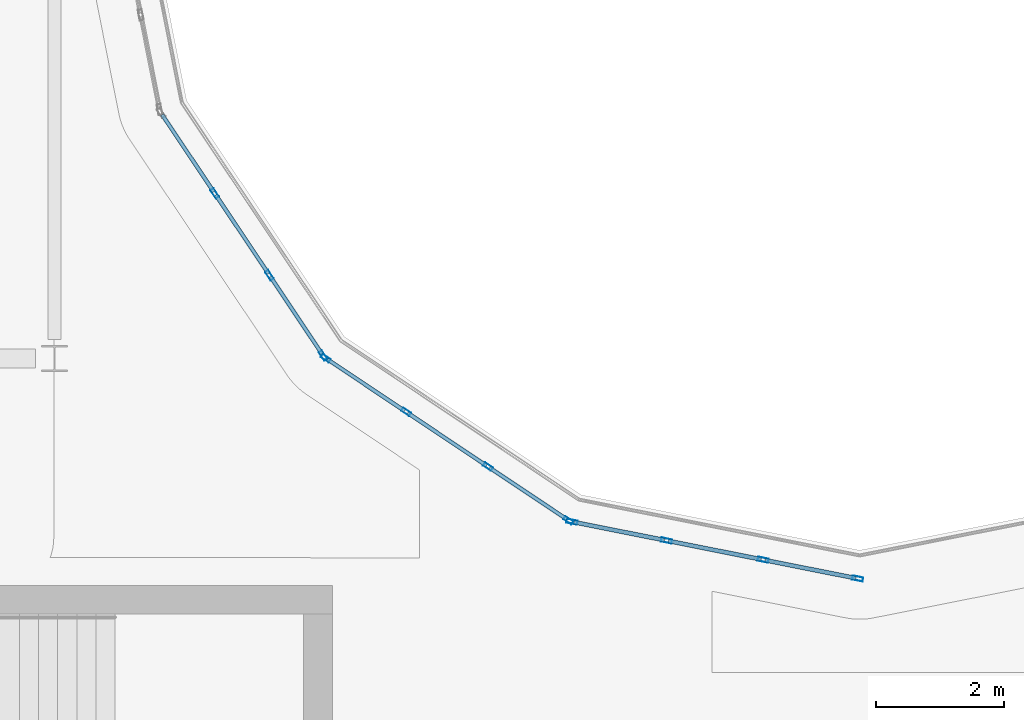
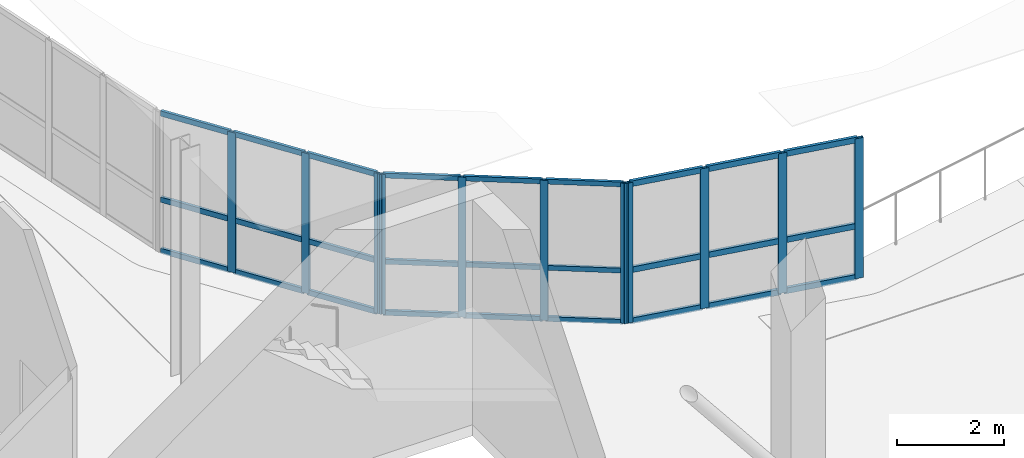
# One storey, part 16 of 110: 38 members, 3 elements without a shape of their own.
"""IFC4 building model written with IfcOpenShell, lengths in metres."""

from ifc_helpers import new_model, si_unit, direction, frame, origin, origin_2d, place, context, subcontext, project, spatial, hollow_rectangle, extrude, material, layer, layer_set, material_profile, profile_set, type_object, element, aggregate, save


model = new_model("IFC4")

# Units and contexts
model_context = context("Model", 3, precision=1e-05, world=origin(), true_north=direction((0.0, 1.0)))
body_context = subcontext(model_context, "Body", "Model", "MODEL_VIEW")
ifc_project = project(units=[si_unit("LENGTHUNIT", "METRE"), si_unit("AREAUNIT", "SQUARE_METRE"), si_unit("VOLUMEUNIT", "CUBIC_METRE"), si_unit("PLANEANGLEUNIT", "RADIAN"), si_unit("MASSUNIT", "GRAM", prefix="KILO"), si_unit("THERMODYNAMICTEMPERATUREUNIT", "KELVIN")], contexts=[model_context])

# Site, building, storey
site_placement = place(None, origin())
site = spatial("IfcSite", under=ifc_project, at=site_placement, CompositionType="ELEMENT")
building_placement = place(site_placement, origin())
building = spatial("IfcBuilding", under=site, at=building_placement, Name="Lustrewick Department Store", CompositionType="ELEMENT")
storey_placement = place(building_placement, frame((0.0, 0.0, 6.0)))
storey = spatial("IfcBuildingStorey", under=building, at=storey_placement, Name="L02", CompositionType="ELEMENT", Elevation=6.0)

# Curtain wall, members
ifc_material = material(Name="Thermally broken aluminium 6063-T5", Category="aluminium")
ifc_layer_1 = layer(ifc_material, 0.169921875, Name="Thermally broken aluminium 6063-T5")
ifc_layer_set_1 = layer_set([ifc_layer_1], Name="Thermally broken aluminium 6063-T5")
curtain_wall_type_1 = type_object("IfcCurtainWallType", Name="CW16", PredefinedType="NOTDEFINED", material=ifc_layer_set_1)
curtain_wall_1_placement = place(storey_placement, origin())
curtain_wall_1 = element("IfcCurtainWall", 1, at=curtain_wall_1_placement, inside=storey, type_object=curtain_wall_type_1, Name="L02 Atrium Glazed Screen CW16", PredefinedType="NOTDEFINED")
ifc_material_profile_1 = material_profile(ifc_material, hollow_rectangle(XDim=0.06494140625, YDim=0.169921875, WallThickness=0.00390625, at=origin_2d()), Name="ALU-M 65x170x4")
ifc_profile_set_1 = profile_set([ifc_material_profile_1], Name="Thermally broken aluminium 6063-T5")
member_type_1 = type_object("IfcMemberType", Name="CW16-M1", PredefinedType="MULLION", material=ifc_profile_set_1)
member_1_placement = place(storey_placement, frame((24.89697265625, 56.24560546875, 0.0), z_axis=(0.0, 0.0, 1.0), x_axis=(0.195084537521, 0.980786430993, 0.0)))
member_1 = element("IfcMember", 2, at=member_1_placement, type_object=member_type_1, Name="CW16 mullion 1", PredefinedType="MULLION", context=body_context, shape_type="SweptSolid", body=[
    extrude(hollow_rectangle(XDim=0.06494140625, YDim=0.169921875, WallThickness=0.00390625, at=origin_2d()), origin(), (0.0, 0.0, 1.0), 3.199951171875),
])
member_2_placement = place(storey_placement, frame((26.376708984375, 55.951416015625, 0.0), z_axis=(0.0, 0.0, 1.0), x_axis=(0.195084537521, 0.980786430993, 0.0)))
member_2 = element("IfcMember", 3, at=member_2_placement, type_object=member_type_1, Name="CW16 mullion 2", PredefinedType="MULLION", context=body_context, shape_type="SweptSolid", body=[
    extrude(hollow_rectangle(XDim=0.06494140625, YDim=0.169921875, WallThickness=0.00390625, at=origin_2d()), origin(), (0.0, 0.0, 1.0), 3.199951171875),
])
member_3_placement = place(storey_placement, frame((27.888427734375, 55.650634765625, 0.0), z_axis=(0.0, 0.0, 1.0), x_axis=(0.195084537521, 0.980786430993, 0.0)))
member_3 = element("IfcMember", 4, at=member_3_placement, type_object=member_type_1, Name="CW16 mullion 3", PredefinedType="MULLION", context=body_context, shape_type="SweptSolid", body=[
    extrude(hollow_rectangle(XDim=0.06494140625, YDim=0.169921875, WallThickness=0.00390625, at=origin_2d()), origin(), (0.0, 0.0, 1.0), 3.199951171875),
])
member_4_placement = place(storey_placement, frame((29.3681640625, 55.3564453125, 0.0), z_axis=(0.0, 0.0, 1.0), x_axis=(0.195084537521, 0.980786430993, 0.0)))
member_4 = element("IfcMember", 5, at=member_4_placement, type_object=member_type_1, Name="CW16 mullion 4", PredefinedType="MULLION", context=body_context, shape_type="SweptSolid", body=[
    extrude(hollow_rectangle(XDim=0.06494140625, YDim=0.169921875, WallThickness=0.00390625, at=origin_2d()), origin(), (0.0, 0.0, 1.0), 3.199951171875),
])
ifc_material_profile_2 = material_profile(ifc_material, hollow_rectangle(XDim=0.06494140625, YDim=0.1298828125, WallThickness=0.00341796875, at=origin_2d()), Name="ALU-T 65x130x3.5")
ifc_profile_set_2 = profile_set([ifc_material_profile_2], Name="Thermally broken aluminium 6063-T5")
member_type_2 = type_object("IfcMemberType", Name="CW16-T1", PredefinedType="USERDEFINED", material=ifc_profile_set_2)
member_5_placement = place(storey_placement, frame((24.928955078125, 56.2392578125, 0.032470703125), z_axis=(0.980807656141, -0.19497779785, 0.0), x_axis=(0.19497779785, 0.980807656141, 0.0)))
member_5 = element("IfcMember", 6, at=member_5_placement, type_object=member_type_2, Name="CW16 transom 1.1", ObjectType="TRANSOM", PredefinedType="USERDEFINED", context=body_context, shape_type="SweptSolid", body=[
    extrude(hollow_rectangle(XDim=0.06494140625, YDim=0.1298828125, WallThickness=0.00341796875, at=origin_2d()), origin(), (0.0, 0.0, 1.0), 1.443603515625),
])
member_6_placement = place(storey_placement, frame((24.928955078125, 56.2392578125, 1.199951171875), z_axis=(0.980807656141, -0.19497779785, 0.0), x_axis=(0.19497779785, 0.980807656141, 0.0)))
member_6 = element("IfcMember", 7, at=member_6_placement, type_object=member_type_2, Name="CW16 transom 1.2", ObjectType="TRANSOM", PredefinedType="USERDEFINED", context=body_context, shape_type="SweptSolid", body=[
    extrude(hollow_rectangle(XDim=0.06494140625, YDim=0.1298828125, WallThickness=0.00341796875, at=origin_2d()), origin(), (0.0, 0.0, 1.0), 1.443603515625),
])
member_7_placement = place(storey_placement, frame((24.928955078125, 56.2392578125, 3.16748046875), z_axis=(0.980807656141, -0.19497779785, 0.0), x_axis=(0.19497779785, 0.980807656141, 0.0)))
member_7 = element("IfcMember", 8, at=member_7_placement, type_object=member_type_2, Name="CW16 transom 1.3", ObjectType="TRANSOM", PredefinedType="USERDEFINED", context=body_context, shape_type="SweptSolid", body=[
    extrude(hollow_rectangle(XDim=0.06494140625, YDim=0.1298828125, WallThickness=0.00341796875, at=origin_2d()), origin(), (0.0, 0.0, 1.0), 1.443603515625),
])
member_8_placement = place(storey_placement, frame((26.40869140625, 55.945068359375, 0.032470703125), z_axis=(0.980771047684, -0.195161861091, 0.0), x_axis=(0.195161861091, 0.980771047684, 0.0)))
member_8 = element("IfcMember", 9, at=member_8_placement, type_object=member_type_2, Name="CW16 transom 2.1", ObjectType="TRANSOM", PredefinedType="USERDEFINED", context=body_context, shape_type="SweptSolid", body=[
    extrude(hollow_rectangle(XDim=0.06494140625, YDim=0.1298828125, WallThickness=0.00341796875, at=origin_2d()), origin(), (0.0, 0.0, 1.0), 1.47607421875),
])
member_9_placement = place(storey_placement, frame((26.40869140625, 55.945068359375, 1.199951171875), z_axis=(0.980771047684, -0.195161861091, 0.0), x_axis=(0.195161861091, 0.980771047684, 0.0)))
member_9 = element("IfcMember", 10, at=member_9_placement, type_object=member_type_2, Name="CW16 transom 2.2", ObjectType="TRANSOM", PredefinedType="USERDEFINED", context=body_context, shape_type="SweptSolid", body=[
    extrude(hollow_rectangle(XDim=0.06494140625, YDim=0.1298828125, WallThickness=0.00341796875, at=origin_2d()), origin(), (0.0, 0.0, 1.0), 1.47607421875),
])
member_10_placement = place(storey_placement, frame((26.40869140625, 55.945068359375, 3.16748046875), z_axis=(0.980771047684, -0.195161861091, 0.0), x_axis=(0.195161861091, 0.980771047684, 0.0)))
member_10 = element("IfcMember", 11, at=member_10_placement, type_object=member_type_2, Name="CW16 transom 2.3", ObjectType="TRANSOM", PredefinedType="USERDEFINED", context=body_context, shape_type="SweptSolid", body=[
    extrude(hollow_rectangle(XDim=0.06494140625, YDim=0.1298828125, WallThickness=0.00341796875, at=origin_2d()), origin(), (0.0, 0.0, 1.0), 1.47607421875),
])
member_11_placement = place(storey_placement, frame((27.920166015625, 55.644287109375, 0.032470703125), z_axis=(0.980807656141, -0.19497779785, 0.0), x_axis=(0.19497779785, 0.980807656141, 0.0)))
member_11 = element("IfcMember", 12, at=member_11_placement, type_object=member_type_2, Name="CW16 transom 3.1", ObjectType="TRANSOM", PredefinedType="USERDEFINED", context=body_context, shape_type="SweptSolid", body=[
    extrude(hollow_rectangle(XDim=0.06494140625, YDim=0.1298828125, WallThickness=0.00341796875, at=origin_2d()), origin(), (0.0, 0.0, 1.0), 1.443603515625),
])
member_12_placement = place(storey_placement, frame((27.920166015625, 55.644287109375, 1.199951171875), z_axis=(0.980807656141, -0.19497779785, 0.0), x_axis=(0.19497779785, 0.980807656141, 0.0)))
member_12 = element("IfcMember", 13, at=member_12_placement, type_object=member_type_2, Name="CW16 transom 3.2", ObjectType="TRANSOM", PredefinedType="USERDEFINED", context=body_context, shape_type="SweptSolid", body=[
    extrude(hollow_rectangle(XDim=0.06494140625, YDim=0.1298828125, WallThickness=0.00341796875, at=origin_2d()), origin(), (0.0, 0.0, 1.0), 1.443603515625),
])
member_13_placement = place(storey_placement, frame((27.920166015625, 55.644287109375, 3.16748046875), z_axis=(0.980807656141, -0.19497779785, 0.0), x_axis=(0.19497779785, 0.980807656141, 0.0)))
member_13 = element("IfcMember", 14, at=member_13_placement, type_object=member_type_2, Name="CW16 transom 3.3", ObjectType="TRANSOM", PredefinedType="USERDEFINED", context=body_context, shape_type="SweptSolid", body=[
    extrude(hollow_rectangle(XDim=0.06494140625, YDim=0.1298828125, WallThickness=0.00341796875, at=origin_2d()), origin(), (0.0, 0.0, 1.0), 1.443603515625),
])
aggregate(curtain_wall_1, [member_1, member_2, member_3, member_4, member_5, member_6, member_7, member_8, member_9, member_10, member_11, member_12, member_13])

ifc_layer_2 = layer(ifc_material, 0.159912109375, Name="Thermally broken aluminium 6063-T5")
ifc_layer_set_2 = layer_set([ifc_layer_2], Name="Thermally broken aluminium 6063-T5")
curtain_wall_type_2 = type_object("IfcCurtainWallType", Name="CW17", PredefinedType="NOTDEFINED", material=ifc_layer_set_2)
curtain_wall_2_placement = place(storey_placement, origin())
curtain_wall_2 = element("IfcCurtainWall", 15, at=curtain_wall_2_placement, inside=storey, type_object=curtain_wall_type_2, Name="L02 Atrium Glazed Screen CW17", PredefinedType="NOTDEFINED")
ifc_material_profile_3 = material_profile(ifc_material, hollow_rectangle(XDim=0.06005859375, YDim=0.159912109375, WallThickness=0.00390625, at=origin_2d()), Name="ALU-M 60x160x4")
ifc_profile_set_3 = profile_set([ifc_material_profile_3], Name="Thermally broken aluminium 6063-T5")
member_type_3 = type_object("IfcMemberType", Name="CW17-M1", PredefinedType="MULLION", material=ifc_profile_set_3)
member_14_placement = place(storey_placement, frame((19.308349609375, 61.3837890625, 0.0), z_axis=(0.0, 0.0, 1.0), x_axis=(0.831464212799, 0.555578313862, 0.0)))
member_14 = element("IfcMember", 16, at=member_14_placement, type_object=member_type_3, Name="CW17 mullion 2", PredefinedType="MULLION", context=body_context, shape_type="SweptSolid", body=[
    extrude(hollow_rectangle(XDim=0.06005859375, YDim=0.159912109375, WallThickness=0.00390625, at=origin_2d()), origin(), (0.0, 0.0, 1.0), 3.199951171875),
])
member_15_placement = place(storey_placement, frame((20.16455078125, 60.102294921875, 0.0), z_axis=(0.0, 0.0, 1.0), x_axis=(0.831464212799, 0.555578313862, 0.0)))
member_15 = element("IfcMember", 17, at=member_15_placement, type_object=member_type_3, Name="CW17 mullion 3", PredefinedType="MULLION", context=body_context, shape_type="SweptSolid", body=[
    extrude(hollow_rectangle(XDim=0.06005859375, YDim=0.159912109375, WallThickness=0.00390625, at=origin_2d()), origin(), (0.0, 0.0, 1.0), 3.199951171875),
])
member_16_placement = place(storey_placement, frame((21.004150390625, 58.845703125, 0.0), z_axis=(0.0, 0.0, 1.0), x_axis=(0.831464212799, 0.555578313862, 0.0)))
member_16 = element("IfcMember", 18, at=member_16_placement, type_object=member_type_3, Name="CW17 mullion 4", PredefinedType="MULLION", context=body_context, shape_type="SweptSolid", body=[
    extrude(hollow_rectangle(XDim=0.06005859375, YDim=0.159912109375, WallThickness=0.00390625, at=origin_2d()), origin(), (0.0, 0.0, 1.0), 3.199951171875),
])
ifc_material_profile_4 = material_profile(ifc_material, hollow_rectangle(XDim=0.06005859375, YDim=0.1201171875, WallThickness=0.00341796875, at=origin_2d()), Name="ALU-T 60x120x3.5")
ifc_profile_set_4 = profile_set([ifc_material_profile_4], Name="Thermally broken aluminium 6063-T5")
member_type_4 = type_object("IfcMemberType", Name="CW17-T1", PredefinedType="USERDEFINED", material=ifc_profile_set_4)
member_17_placement = place(storey_placement, frame((18.4853515625, 62.615234375, 0.030029296875), z_axis=(0.555554084832, -0.83148040195, 0.0), x_axis=(0.83148040195, 0.555554084832, 0.0)))
member_17 = element("IfcMember", 19, at=member_17_placement, type_object=member_type_4, Name="CW17 transom 1.1", ObjectType="TRANSOM", PredefinedType="USERDEFINED", context=body_context, shape_type="SweptSolid", body=[
    extrude(hollow_rectangle(XDim=0.06005859375, YDim=0.1201171875, WallThickness=0.00341796875, at=origin_2d()), origin(), (0.0, 0.0, 1.0), 1.451171875),
])
member_18_placement = place(storey_placement, frame((18.4853515625, 62.615234375, 1.199951171875), z_axis=(0.555554084832, -0.83148040195, 0.0), x_axis=(0.83148040195, 0.555554084832, 0.0)))
member_18 = element("IfcMember", 20, at=member_18_placement, type_object=member_type_4, Name="CW17 transom 1.2", ObjectType="TRANSOM", PredefinedType="USERDEFINED", context=body_context, shape_type="SweptSolid", body=[
    extrude(hollow_rectangle(XDim=0.06005859375, YDim=0.1201171875, WallThickness=0.00341796875, at=origin_2d()), origin(), (0.0, 0.0, 1.0), 1.451171875),
])
member_19_placement = place(storey_placement, frame((18.4853515625, 62.615234375, 3.169921875), z_axis=(0.555554084832, -0.83148040195, 0.0), x_axis=(0.83148040195, 0.555554084832, 0.0)))
member_19 = element("IfcMember", 21, at=member_19_placement, type_object=member_type_4, Name="CW17 transom 1.3", ObjectType="TRANSOM", PredefinedType="USERDEFINED", context=body_context, shape_type="SweptSolid", body=[
    extrude(hollow_rectangle(XDim=0.06005859375, YDim=0.1201171875, WallThickness=0.00341796875, at=origin_2d()), origin(), (0.0, 0.0, 1.0), 1.451171875),
])
member_20_placement = place(storey_placement, frame((19.324951171875, 61.35888671875, 0.030029296875), z_axis=(0.555574650661, -0.831466660512, 0.0), x_axis=(0.831466660512, 0.555574650661, 0.0)))
member_20 = element("IfcMember", 22, at=member_20_placement, type_object=member_type_4, Name="CW17 transom 2.1", ObjectType="TRANSOM", PredefinedType="USERDEFINED", context=body_context, shape_type="SweptSolid", body=[
    extrude(hollow_rectangle(XDim=0.06005859375, YDim=0.1201171875, WallThickness=0.00341796875, at=origin_2d()), origin(), (0.0, 0.0, 1.0), 1.4814453125),
])
member_21_placement = place(storey_placement, frame((19.324951171875, 61.35888671875, 1.199951171875), z_axis=(0.555574650661, -0.831466660512, 0.0), x_axis=(0.831466660512, 0.555574650661, 0.0)))
member_21 = element("IfcMember", 23, at=member_21_placement, type_object=member_type_4, Name="CW17 transom 2.2", ObjectType="TRANSOM", PredefinedType="USERDEFINED", context=body_context, shape_type="SweptSolid", body=[
    extrude(hollow_rectangle(XDim=0.06005859375, YDim=0.1201171875, WallThickness=0.00341796875, at=origin_2d()), origin(), (0.0, 0.0, 1.0), 1.4814453125),
])
member_22_placement = place(storey_placement, frame((19.324951171875, 61.35888671875, 3.169921875), z_axis=(0.555574650661, -0.831466660512, 0.0), x_axis=(0.831466660512, 0.555574650661, 0.0)))
member_22 = element("IfcMember", 24, at=member_22_placement, type_object=member_type_4, Name="CW17 transom 2.3", ObjectType="TRANSOM", PredefinedType="USERDEFINED", context=body_context, shape_type="SweptSolid", body=[
    extrude(hollow_rectangle(XDim=0.06005859375, YDim=0.1201171875, WallThickness=0.00341796875, at=origin_2d()), origin(), (0.0, 0.0, 1.0), 1.4814453125),
])
member_23_placement = place(storey_placement, frame((20.18115234375, 60.077392578125, 0.030029296875), z_axis=(0.55559267586, -0.831454616038, 0.0), x_axis=(0.831454616038, 0.55559267586, 0.0)))
member_23 = element("IfcMember", 25, at=member_23_placement, type_object=member_type_4, Name="CW17 transom 3.1", ObjectType="TRANSOM", PredefinedType="USERDEFINED", context=body_context, shape_type="SweptSolid", body=[
    extrude(hollow_rectangle(XDim=0.06005859375, YDim=0.1201171875, WallThickness=0.00341796875, at=origin_2d()), origin(), (0.0, 0.0, 1.0), 1.451416015625),
])
member_24_placement = place(storey_placement, frame((20.18115234375, 60.077392578125, 1.199951171875), z_axis=(0.55559267586, -0.831454616038, 0.0), x_axis=(0.831454616038, 0.55559267586, 0.0)))
member_24 = element("IfcMember", 26, at=member_24_placement, type_object=member_type_4, Name="CW17 transom 3.2", ObjectType="TRANSOM", PredefinedType="USERDEFINED", context=body_context, shape_type="SweptSolid", body=[
    extrude(hollow_rectangle(XDim=0.06005859375, YDim=0.1201171875, WallThickness=0.00341796875, at=origin_2d()), origin(), (0.0, 0.0, 1.0), 1.451416015625),
])
member_25_placement = place(storey_placement, frame((20.18115234375, 60.077392578125, 3.169921875), z_axis=(0.55559267586, -0.831454616038, 0.0), x_axis=(0.831454616038, 0.55559267586, 0.0)))
member_25 = element("IfcMember", 27, at=member_25_placement, type_object=member_type_4, Name="CW17 transom 3.3", ObjectType="TRANSOM", PredefinedType="USERDEFINED", context=body_context, shape_type="SweptSolid", body=[
    extrude(hollow_rectangle(XDim=0.06005859375, YDim=0.1201171875, WallThickness=0.00341796875, at=origin_2d()), origin(), (0.0, 0.0, 1.0), 1.451416015625),
])
aggregate(curtain_wall_2, [member_14, member_15, member_16, member_17, member_18, member_19, member_20, member_21, member_22, member_23, member_24, member_25])

ifc_layer_3 = layer(ifc_material, 0.14990234375, Name="Thermally broken aluminium 6063-T5")
ifc_layer_set_3 = layer_set([ifc_layer_3], Name="Thermally broken aluminium 6063-T5")
curtain_wall_type_3 = type_object("IfcCurtainWallType", Name="CW18", PredefinedType="NOTDEFINED", material=ifc_layer_set_3)
curtain_wall_3_placement = place(storey_placement, origin())
curtain_wall_3 = element("IfcCurtainWall", 28, at=curtain_wall_3_placement, inside=storey, type_object=curtain_wall_type_3, Name="L02 Atrium Glazed Screen CW18", PredefinedType="NOTDEFINED")
ifc_material_profile_5 = material_profile(ifc_material, hollow_rectangle(XDim=0.06005859375, YDim=0.14990234375, WallThickness=0.00341796875, at=origin_2d()), Name="ALU-M 60x150x3.5")
ifc_profile_set_5 = profile_set([ifc_material_profile_5], Name="Thermally broken aluminium 6063-T5")
member_type_5 = type_object("IfcMemberType", Name="CW18-M1", PredefinedType="MULLION", material=ifc_profile_set_5)
member_26_placement = place(storey_placement, frame((21.045654296875, 58.80419921875, 0.0), z_axis=(0.0, 0.0, 1.0), x_axis=(0.555578313862, 0.831464212799, 0.0)))
member_26 = element("IfcMember", 29, at=member_26_placement, type_object=member_type_5, Name="CW18 mullion 1", PredefinedType="MULLION", context=body_context, shape_type="SweptSolid", body=[
    extrude(hollow_rectangle(XDim=0.06005859375, YDim=0.14990234375, WallThickness=0.00341796875, at=origin_2d()), origin(), (0.0, 0.0, 1.0), 3.199951171875),
])
member_27_placement = place(storey_placement, frame((22.30224609375, 57.964599609375, 0.0), z_axis=(0.0, 0.0, 1.0), x_axis=(0.555578313862, 0.831464212799, 0.0)))
member_27 = element("IfcMember", 30, at=member_27_placement, type_object=member_type_5, Name="CW18 mullion 2", PredefinedType="MULLION", context=body_context, shape_type="SweptSolid", body=[
    extrude(hollow_rectangle(XDim=0.06005859375, YDim=0.14990234375, WallThickness=0.00341796875, at=origin_2d()), origin(), (0.0, 0.0, 1.0), 3.199951171875),
])
member_28_placement = place(storey_placement, frame((23.583740234375, 57.108154296875, 0.0), z_axis=(0.0, 0.0, 1.0), x_axis=(0.555578313862, 0.831464212799, 0.0)))
member_28 = element("IfcMember", 31, at=member_28_placement, type_object=member_type_5, Name="CW18 mullion 3", PredefinedType="MULLION", context=body_context, shape_type="SweptSolid", body=[
    extrude(hollow_rectangle(XDim=0.06005859375, YDim=0.14990234375, WallThickness=0.00341796875, at=origin_2d()), origin(), (0.0, 0.0, 1.0), 3.199951171875),
])
member_29_placement = place(storey_placement, frame((24.84033203125, 56.2685546875, 0.0), z_axis=(0.0, 0.0, 1.0), x_axis=(0.555578313862, 0.831464212799, 0.0)))
member_29 = element("IfcMember", 32, at=member_29_placement, type_object=member_type_5, Name="CW18 mullion 4", PredefinedType="MULLION", context=body_context, shape_type="SweptSolid", body=[
    extrude(hollow_rectangle(XDim=0.06005859375, YDim=0.14990234375, WallThickness=0.00341796875, at=origin_2d()), origin(), (0.0, 0.0, 1.0), 3.199951171875),
])
ifc_material_profile_6 = material_profile(ifc_material, hollow_rectangle(XDim=0.06005859375, YDim=0.110107421875, WallThickness=0.0029296875, at=origin_2d()), Name="ALU-T 60x110x3")
ifc_profile_set_6 = profile_set([ifc_material_profile_6], Name="Thermally broken aluminium 6063-T5")
member_type_6 = type_object("IfcMemberType", Name="CW18-T1", PredefinedType="USERDEFINED", material=ifc_profile_set_6)
member_30_placement = place(storey_placement, frame((21.07080078125, 58.787353515625, 0.030029296875), z_axis=(0.83148040195, -0.555554084832, 0.0), x_axis=(0.555554084832, 0.83148040195, 0.0)))
member_30 = element("IfcMember", 33, at=member_30_placement, type_object=member_type_6, Name="CW18 transom 1.1", ObjectType="TRANSOM", PredefinedType="USERDEFINED", context=body_context, shape_type="SweptSolid", body=[
    extrude(hollow_rectangle(XDim=0.06005859375, YDim=0.110107421875, WallThickness=0.0029296875, at=origin_2d()), origin(), (0.0, 0.0, 1.0), 1.451171875),
])
member_31_placement = place(storey_placement, frame((21.07080078125, 58.787353515625, 1.199951171875), z_axis=(0.83148040195, -0.555554084832, 0.0), x_axis=(0.555554084832, 0.83148040195, 0.0)))
member_31 = element("IfcMember", 34, at=member_31_placement, type_object=member_type_6, Name="CW18 transom 1.2", ObjectType="TRANSOM", PredefinedType="USERDEFINED", context=body_context, shape_type="SweptSolid", body=[
    extrude(hollow_rectangle(XDim=0.06005859375, YDim=0.110107421875, WallThickness=0.0029296875, at=origin_2d()), origin(), (0.0, 0.0, 1.0), 1.451171875),
])
member_32_placement = place(storey_placement, frame((21.07080078125, 58.787353515625, 3.169921875), z_axis=(0.83148040195, -0.555554084832, 0.0), x_axis=(0.555554084832, 0.83148040195, 0.0)))
member_32 = element("IfcMember", 35, at=member_32_placement, type_object=member_type_6, Name="CW18 transom 1.3", ObjectType="TRANSOM", PredefinedType="USERDEFINED", context=body_context, shape_type="SweptSolid", body=[
    extrude(hollow_rectangle(XDim=0.06005859375, YDim=0.110107421875, WallThickness=0.0029296875, at=origin_2d()), origin(), (0.0, 0.0, 1.0), 1.451171875),
])
member_33_placement = place(storey_placement, frame((22.3271484375, 57.94775390625, 0.030029296875), z_axis=(0.831542792322, -0.555460695763, 0.0), x_axis=(0.555460695763, 0.831542792322, 0.0)))
member_33 = element("IfcMember", 36, at=member_33_placement, type_object=member_type_6, Name="CW18 transom 2.1", ObjectType="TRANSOM", PredefinedType="USERDEFINED", context=body_context, shape_type="SweptSolid", body=[
    extrude(hollow_rectangle(XDim=0.06005859375, YDim=0.110107421875, WallThickness=0.0029296875, at=origin_2d()), origin(), (0.0, 0.0, 1.0), 1.481201171875),
])
member_34_placement = place(storey_placement, frame((22.3271484375, 57.94775390625, 1.199951171875), z_axis=(0.831542792322, -0.555460695763, 0.0), x_axis=(0.555460695763, 0.831542792322, 0.0)))
member_34 = element("IfcMember", 37, at=member_34_placement, type_object=member_type_6, Name="CW18 transom 2.2", ObjectType="TRANSOM", PredefinedType="USERDEFINED", context=body_context, shape_type="SweptSolid", body=[
    extrude(hollow_rectangle(XDim=0.06005859375, YDim=0.110107421875, WallThickness=0.0029296875, at=origin_2d()), origin(), (0.0, 0.0, 1.0), 1.481201171875),
])
member_35_placement = place(storey_placement, frame((22.3271484375, 57.94775390625, 3.169921875), z_axis=(0.831542792322, -0.555460695763, 0.0), x_axis=(0.555460695763, 0.831542792322, 0.0)))
member_35 = element("IfcMember", 38, at=member_35_placement, type_object=member_type_6, Name="CW18 transom 2.3", ObjectType="TRANSOM", PredefinedType="USERDEFINED", context=body_context, shape_type="SweptSolid", body=[
    extrude(hollow_rectangle(XDim=0.06005859375, YDim=0.110107421875, WallThickness=0.0029296875, at=origin_2d()), origin(), (0.0, 0.0, 1.0), 1.481201171875),
])
member_36_placement = place(storey_placement, frame((23.608642578125, 57.091552734375, 0.030029296875), z_axis=(0.831532319099, -0.555476374199, 0.0), x_axis=(0.555476374199, 0.831532319099, 0.0)))
member_36 = element("IfcMember", 39, at=member_36_placement, type_object=member_type_6, Name="CW18 transom 3.1", ObjectType="TRANSOM", PredefinedType="USERDEFINED", context=body_context, shape_type="SweptSolid", body=[
    extrude(hollow_rectangle(XDim=0.06005859375, YDim=0.110107421875, WallThickness=0.0029296875, at=origin_2d()), origin(), (0.0, 0.0, 1.0), 1.451171875),
])
member_37_placement = place(storey_placement, frame((23.608642578125, 57.091552734375, 1.199951171875), z_axis=(0.831532319099, -0.555476374199, 0.0), x_axis=(0.555476374199, 0.831532319099, 0.0)))
member_37 = element("IfcMember", 40, at=member_37_placement, type_object=member_type_6, Name="CW18 transom 3.2", ObjectType="TRANSOM", PredefinedType="USERDEFINED", context=body_context, shape_type="SweptSolid", body=[
    extrude(hollow_rectangle(XDim=0.06005859375, YDim=0.110107421875, WallThickness=0.0029296875, at=origin_2d()), origin(), (0.0, 0.0, 1.0), 1.451171875),
])
member_38_placement = place(storey_placement, frame((23.608642578125, 57.091552734375, 3.169921875), z_axis=(0.831532319099, -0.555476374199, 0.0), x_axis=(0.555476374199, 0.831532319099, 0.0)))
member_38 = element("IfcMember", 41, at=member_38_placement, type_object=member_type_6, Name="CW18 transom 3.3", ObjectType="TRANSOM", PredefinedType="USERDEFINED", context=body_context, shape_type="SweptSolid", body=[
    extrude(hollow_rectangle(XDim=0.06005859375, YDim=0.110107421875, WallThickness=0.0029296875, at=origin_2d()), origin(), (0.0, 0.0, 1.0), 1.451171875),
])
aggregate(curtain_wall_3, [member_26, member_27, member_28, member_29, member_30, member_31, member_32, member_33, member_34, member_35, member_36, member_37, member_38])

save(model, "model.ifc")
